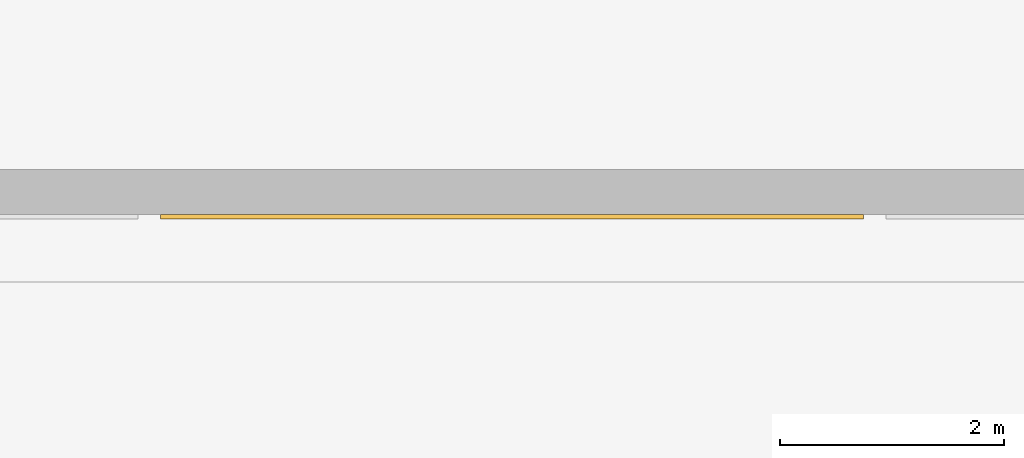
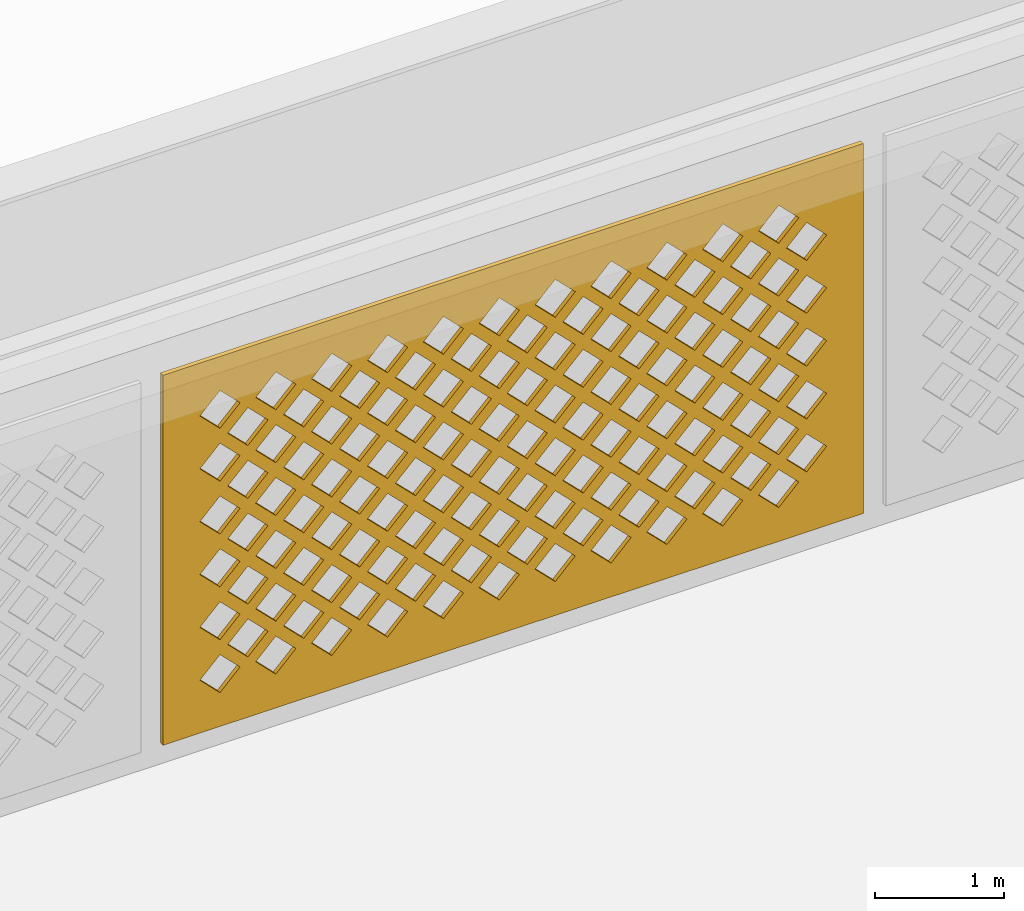
# One storey, part 20 of 63: 1 covering.
"""IFC4 building model written with IfcOpenShell, lengths in metres."""

import ifcopenshell
import ifcopenshell.guid

model = None  # the IFC model being written
_history = None  # IfcOwnerHistory: only IFC2X3 demands one
_inside = {}  # id of a spatial element -> (the spatial element, [elements in it])
_under = {}  # id of a project, library or spatial element -> (it, [spatial elements below it])
_declared = {}  # id of a project -> (the project, [libraries it declares])
_typed = {}  # id of a type object -> (the type object, [elements of that type])
_made_of = {}  # id of a material, layer set ... -> (it, [elements and type objects made of it])


def new_model(schema):
    """Start an empty IFC model of exactly this schema.

    Asked for "IFC4X3", IfcOpenShell would pick the latest addendum, in which some entities
    have other attributes; the version numbers below select the first issue.
    IFC2X3 requires an IfcOwnerHistory on every rooted entity: one is made here for all.
    """
    global model, _history
    if schema == "IFC4X3":
        model = ifcopenshell.file(schema_version=(4, 3, 0, 0))
    else:
        model = ifcopenshell.file(schema=schema)
    _inside.clear()
    _under.clear()
    _declared.clear()
    _typed.clear()
    _made_of.clear()
    _history = None
    if model.schema == "IFC2X3":
        org = make("IfcOrganization", Name="unknown")
        user = make(
            "IfcPersonAndOrganization",
            ThePerson=make("IfcPerson", FamilyName="unknown"),
            TheOrganization=org,
        )
        app = make(
            "IfcApplication",
            ApplicationDeveloper=org,
            Version="unknown",
            ApplicationFullName="unknown",
            ApplicationIdentifier="unknown",
        )
        _history = make(
            "IfcOwnerHistory",
            OwningUser=user,
            OwningApplication=app,
            ChangeAction="ADDED",
            CreationDate=0,
        )
    return model


def make(cls, **values):
    """One entity of the class cls with the attributes given. An attribute that is None is left unset."""
    return model.create_entity(
        cls, **{name: value for name, value in values.items() if value is not None}
    )


def rooted(cls, **values):
    """An entity with a GlobalId (a new one), such as an element, a storey or a relation."""
    return make(cls, GlobalId=ifcopenshell.guid.new(), OwnerHistory=_history, **values)


def si_unit(unit_type, name, prefix=None):
    """IfcSIUnit, for example si_unit("LENGTHUNIT", "METRE", prefix="MILLI")."""
    return make("IfcSIUnit", UnitType=unit_type, Prefix=prefix, Name=name)


def assignment(units):
    """IfcUnitAssignment: the units of a project."""
    return None if units is None else make("IfcUnitAssignment", Units=units)


def point(xyz):
    """IfcCartesianPoint."""
    return None if xyz is None else make("IfcCartesianPoint", Coordinates=xyz)


def direction(xyz):
    """IfcDirection."""
    return None if xyz is None else make("IfcDirection", DirectionRatios=xyz)


def frame(location, z_axis=None, x_axis=None):
    """IfcAxis2Placement3D, a coordinate frame: its origin and axes. An axis left out is left unset."""
    return make(
        "IfcAxis2Placement3D",
        Location=point(location),
        Axis=direction(z_axis),
        RefDirection=direction(x_axis),
    )


def origin():
    """The frame at (0, 0, 0) with its axes left unset."""
    return frame((0.0, 0.0, 0.0))


def place(relative_to, where):
    """IfcLocalPlacement: puts the frame where relative to a parent placement (None: the world)."""
    return make(
        "IfcLocalPlacement", PlacementRelTo=relative_to, RelativePlacement=where
    )


def context(
    kind, dimensions, precision=None, world=None, true_north=None, identifier=None
):
    """IfcGeometricRepresentationContext, for example the 3D "Model" context."""
    return make(
        "IfcGeometricRepresentationContext",
        ContextIdentifier=identifier,
        ContextType=kind,
        CoordinateSpaceDimension=dimensions,
        Precision=precision,
        WorldCoordinateSystem=world,
        TrueNorth=true_north,
    )


def subcontext(parent, identifier, kind, view, scale=None):
    """IfcGeometricRepresentationSubContext, for example "Body" below "Model"."""
    return make(
        "IfcGeometricRepresentationSubContext",
        ContextIdentifier=identifier,
        ContextType=kind,
        ParentContext=parent,
        TargetScale=scale,
        TargetView=view,
    )


def project(units=None, contexts=None):
    """IfcProject with its units and contexts."""
    return rooted(
        "IfcProject",
        Name="project",
        RepresentationContexts=contexts,
        UnitsInContext=assignment(units),
    )


def spatial(cls, under=None, at=None, **own):
    """A site, building, storey or space (cls), placed at a placement, below another one or the project."""
    s = rooted(cls, ObjectPlacement=at, **own)
    if under is not None:
        _under.setdefault(under.id(), (under, []))[1].append(s)
    return s


def polyline(points):
    """IfcPolyline through the points."""
    return make("IfcPolyline", Points=[point(p) for p in points])


def outline(outer, holes=None, kind="AREA"):
    """IfcArbitraryClosedProfileDef: a profile drawn as a closed curve; with holes, ...WithVoids."""
    if holes is None:
        return make("IfcArbitraryClosedProfileDef", ProfileType=kind, OuterCurve=outer)
    return make(
        "IfcArbitraryProfileDefWithVoids",
        ProfileType=kind,
        OuterCurve=outer,
        InnerCurves=holes,
    )


def extrude(swept, where, along, depth):
    """IfcExtrudedAreaSolid: the profile swept, set in the frame where, extruded along a direction by depth."""
    return make(
        "IfcExtrudedAreaSolid",
        SweptArea=swept,
        Position=where,
        ExtrudedDirection=direction(along),
        Depth=depth,
    )


def shape(context_of_items, identifier, shape_type, items):
    """IfcShapeRepresentation: the items that make up one representation, for example the "Body"."""
    return make(
        "IfcShapeRepresentation",
        ContextOfItems=context_of_items,
        RepresentationIdentifier=identifier,
        RepresentationType=shape_type,
        Items=items,
    )


def material(Name=None, Category=None):
    """IfcMaterial."""
    return make("IfcMaterial", Name=Name, Category=Category)


def layer(
    of_material, thickness, ventilated=None, Name=None, Category=None, Priority=None
):
    """IfcMaterialLayer: one layer of a wall or slab, of a material (None: an air gap)."""
    return make(
        "IfcMaterialLayer",
        Material=of_material,
        LayerThickness=thickness,
        IsVentilated=ventilated,
        Name=Name,
        Category=Category,
        Priority=Priority,
    )


def layer_set(layers, Name=None):
    """IfcMaterialLayerSet."""
    return make("IfcMaterialLayerSet", MaterialLayers=layers, LayerSetName=Name)


def made_of(thing, what):
    """Note that an element or type object is made of a material, layer set ...; save() writes the relation."""
    if what is not None:
        _made_of.setdefault(what.id(), (what, []))[1].append(thing)
    return thing


def type_object(cls, material=None, **own):
    """A type object (cls), such as IfcWallType, which elements share."""
    return made_of(rooted(cls, **own), material)


def element(
    cls,
    number,
    at=None,
    inside=None,
    cuts=None,
    type_object=None,
    material=None,
    context=None,
    identifier="Body",
    shape_type=None,
    held_by="IfcProductDefinitionShape",
    body=None,
    shapes=None,
    **own,
):
    """One element of the class cls, such as IfcWall. Its Tag is "e" and its number.

    at: its placement. inside: the storey or other place that contains it. cuts: it is an
    opening in that element (IfcRelVoidsElement). A single representation is given by context,
    identifier, shape_type and body (its items); several are given by shapes. held_by: the class
    of the entity that holds the representations. save() writes the other relations.
    """
    e = rooted(cls, Tag="e%d" % number, ObjectPlacement=at, **own)
    if body is not None:
        shapes = [shape(context, identifier, shape_type, body)]
    if shapes is not None:
        e.Representation = make(held_by, Representations=shapes)
    if inside is not None:
        _inside.setdefault(inside.id(), (inside, []))[1].append(e)
    if cuts is not None:
        rooted(
            "IfcRelVoidsElement", RelatingBuildingElement=cuts, RelatedOpeningElement=e
        )
    if type_object is not None:
        _typed.setdefault(type_object.id(), (type_object, []))[1].append(e)
    return made_of(e, material)


def aggregate(whole, parts):
    """IfcRelAggregates: a whole, such as a stair, and the parts it consists of."""
    return rooted("IfcRelAggregates", RelatingObject=whole, RelatedObjects=parts)


def save(model, path):
    """Write the relations noted so far, then the file.

    IfcRelAggregates (storeys below a building ...), IfcRelContainedInSpatialStructure (elements
    in a storey), IfcRelDefinesByType, IfcRelAssociatesMaterial and IfcRelDeclares: one each for
    every whole, place, type object, material and project.
    """
    for whole, parts in _under.values():
        aggregate(whole, parts)
    for where, things in _inside.values():
        rooted(
            "IfcRelContainedInSpatialStructure",
            RelatedElements=things,
            RelatingStructure=where,
        )
    for kind, things in _typed.values():
        rooted("IfcRelDefinesByType", RelatedObjects=things, RelatingType=kind)
    for what, things in _made_of.values():
        rooted("IfcRelAssociatesMaterial", RelatedObjects=things, RelatingMaterial=what)
    for by, libraries in _declared.values():
        rooted("IfcRelDeclares", RelatingContext=by, RelatedDefinitions=libraries)
    model.write(path)


model = new_model("IFC4")

# Units and contexts
model_context = context("Model", 3, precision=1e-05, world=origin(), true_north=direction((0.0, 1.0)))
body_context = subcontext(model_context, "Body", "Model", "MODEL_VIEW")
ifc_project = project(units=[si_unit("LENGTHUNIT", "METRE"), si_unit("AREAUNIT", "SQUARE_METRE"), si_unit("VOLUMEUNIT", "CUBIC_METRE"), si_unit("PLANEANGLEUNIT", "RADIAN"), si_unit("MASSUNIT", "GRAM", prefix="KILO")], contexts=[model_context])

# Site, building, storey
site_placement = place(None, origin())
site = spatial("IfcSite", under=ifc_project, at=site_placement, CompositionType="ELEMENT")
building_placement = place(site_placement, origin())
building = spatial("IfcBuilding", under=site, at=building_placement, Name="Noorbagh Ring Tower", CompositionType="ELEMENT")
storey_placement = place(building_placement, frame((0.0, 0.0, 25.0)))
storey = spatial("IfcBuildingStorey", under=building, at=storey_placement, Name="L04", CompositionType="ELEMENT", Elevation=25.0)

# Covering
ifc_material = material(Name="Red sandstone jali", Category="masonry")
ifc_layer = layer(ifc_material, 0.0400390625)
ifc_layer_set = layer_set([ifc_layer], Name="Red sandstone jali")
covering_type = type_object("IfcCoveringType", Name="STH-BAND", PredefinedType="USERDEFINED", material=ifc_layer_set)
covering_placement = place(storey_placement, frame((-153.13330078125, -13.239990234375, 0.199951171875), z_axis=(0.0, -1.0, 0.0), x_axis=(1.0, 0.0, 0.0)))
element("IfcCovering", 1, at=covering_placement, inside=storey, type_object=covering_type, Name="Jali band of the stage house", ObjectType="JALI SCREEN", PredefinedType="USERDEFINED", context=body_context, shape_type="SweptSolid", body=[
    extrude(outline(polyline([(0.0, 0.0), (6.2666015625, 0.0), (6.2666015625, 3.5), (0.0, 3.5), (0.0, 0.0)]), holes=[polyline([(0.328369140625, 0.5), (0.50830078125, 0.320068359375), (0.688232421875, 0.5), (0.50830078125, 0.679931640625), (0.328369140625, 0.5)]), polyline([(0.828369140625, 0.5), (1.00830078125, 0.320068359375), (1.188232421875, 0.5), (1.00830078125, 0.679931640625), (0.828369140625, 0.5)]), polyline([(1.328369140625, 0.5), (1.50830078125, 0.320068359375), (1.688232421875, 0.5), (1.50830078125, 0.679931640625), (1.328369140625, 0.5)]), polyline([(1.828369140625, 0.5), (2.00830078125, 0.320068359375), (2.188232421875, 0.5), (2.00830078125, 0.679931640625), (1.828369140625, 0.5)]), polyline([(2.328369140625, 0.5), (2.50830078125, 0.320068359375), (2.688232421875, 0.5), (2.50830078125, 0.679931640625), (2.328369140625, 0.5)]), polyline([(2.828369140625, 0.5), (3.00830078125, 0.320068359375), (3.188232421875, 0.5), (3.00830078125, 0.679931640625), (2.828369140625, 0.5)]), polyline([(3.328369140625, 0.5), (3.50830078125, 0.320068359375), (3.688232421875, 0.5), (3.50830078125, 0.679931640625), (3.328369140625, 0.5)]), polyline([(3.828369140625, 0.5), (4.00830078125, 0.320068359375), (4.188232421875, 0.5), (4.00830078125, 0.679931640625), (3.828369140625, 0.5)]), polyline([(4.328369140625, 0.5), (4.50830078125, 0.320068359375), (4.688232421875, 0.5), (4.50830078125, 0.679931640625), (4.328369140625, 0.5)]), polyline([(4.828369140625, 0.5), (5.00830078125, 0.320068359375), (5.188232421875, 0.5), (5.00830078125, 0.679931640625), (4.828369140625, 0.5)]), polyline([(5.328369140625, 0.5), (5.50830078125, 0.320068359375), (5.688232421875, 0.5), (5.50830078125, 0.679931640625), (5.328369140625, 0.5)]), polyline([(0.578369140625, 0.75), (0.75830078125, 0.570068359375), (0.938232421875, 0.75), (0.75830078125, 0.929931640625), (0.578369140625, 0.75)]), polyline([(1.078369140625, 0.75), (1.25830078125, 0.570068359375), (1.438232421875, 0.75), (1.25830078125, 0.929931640625), (1.078369140625, 0.75)]), polyline([(1.578369140625, 0.75), (1.75830078125, 0.570068359375), (1.938232421875, 0.75), (1.75830078125, 0.929931640625), (1.578369140625, 0.75)]), polyline([(2.078369140625, 0.75), (2.25830078125, 0.570068359375), (2.438232421875, 0.75), (2.25830078125, 0.929931640625), (2.078369140625, 0.75)]), polyline([(2.578369140625, 0.75), (2.75830078125, 0.570068359375), (2.938232421875, 0.75), (2.75830078125, 0.929931640625), (2.578369140625, 0.75)]), polyline([(3.078369140625, 0.75), (3.25830078125, 0.570068359375), (3.438232421875, 0.75), (3.25830078125, 0.929931640625), (3.078369140625, 0.75)]), polyline([(3.578369140625, 0.75), (3.75830078125, 0.570068359375), (3.938232421875, 0.75), (3.75830078125, 0.929931640625), (3.578369140625, 0.75)]), polyline([(4.078369140625, 0.75), (4.25830078125, 0.570068359375), (4.438232421875, 0.75), (4.25830078125, 0.929931640625), (4.078369140625, 0.75)]), polyline([(4.578369140625, 0.75), (4.75830078125, 0.570068359375), (4.938232421875, 0.75), (4.75830078125, 0.929931640625), (4.578369140625, 0.75)]), polyline([(5.078369140625, 0.75), (5.25830078125, 0.570068359375), (5.438232421875, 0.75), (5.25830078125, 0.929931640625), (5.078369140625, 0.75)]), polyline([(5.578369140625, 0.75), (5.75830078125, 0.570068359375), (5.938232421875, 0.75), (5.75830078125, 0.929931640625), (5.578369140625, 0.75)]), polyline([(0.328369140625, 1.0), (0.50830078125, 0.820068359375), (0.688232421875, 1.0), (0.50830078125, 1.179931640625), (0.328369140625, 1.0)]), polyline([(0.828369140625, 1.0), (1.00830078125, 0.820068359375), (1.188232421875, 1.0), (1.00830078125, 1.179931640625), (0.828369140625, 1.0)]), polyline([(1.328369140625, 1.0), (1.50830078125, 0.820068359375), (1.688232421875, 1.0), (1.50830078125, 1.179931640625), (1.328369140625, 1.0)]), polyline([(1.828369140625, 1.0), (2.00830078125, 0.820068359375), (2.188232421875, 1.0), (2.00830078125, 1.179931640625), (1.828369140625, 1.0)]), polyline([(2.328369140625, 1.0), (2.50830078125, 0.820068359375), (2.688232421875, 1.0), (2.50830078125, 1.179931640625), (2.328369140625, 1.0)]), polyline([(2.828369140625, 1.0), (3.00830078125, 0.820068359375), (3.188232421875, 1.0), (3.00830078125, 1.179931640625), (2.828369140625, 1.0)]), polyline([(3.328369140625, 1.0), (3.50830078125, 0.820068359375), (3.688232421875, 1.0), (3.50830078125, 1.179931640625), (3.328369140625, 1.0)]), polyline([(3.828369140625, 1.0), (4.00830078125, 0.820068359375), (4.188232421875, 1.0), (4.00830078125, 1.179931640625), (3.828369140625, 1.0)]), polyline([(4.328369140625, 1.0), (4.50830078125, 0.820068359375), (4.688232421875, 1.0), (4.50830078125, 1.179931640625), (4.328369140625, 1.0)]), polyline([(4.828369140625, 1.0), (5.00830078125, 0.820068359375), (5.188232421875, 1.0), (5.00830078125, 1.179931640625), (4.828369140625, 1.0)]), polyline([(5.328369140625, 1.0), (5.50830078125, 0.820068359375), (5.688232421875, 1.0), (5.50830078125, 1.179931640625), (5.328369140625, 1.0)]), polyline([(0.578369140625, 1.25), (0.75830078125, 1.070068359375), (0.938232421875, 1.25), (0.75830078125, 1.429931640625), (0.578369140625, 1.25)]), polyline([(1.078369140625, 1.25), (1.25830078125, 1.070068359375), (1.438232421875, 1.25), (1.25830078125, 1.429931640625), (1.078369140625, 1.25)]), polyline([(1.578369140625, 1.25), (1.75830078125, 1.070068359375), (1.938232421875, 1.25), (1.75830078125, 1.429931640625), (1.578369140625, 1.25)]), polyline([(2.078369140625, 1.25), (2.25830078125, 1.070068359375), (2.438232421875, 1.25), (2.25830078125, 1.429931640625), (2.078369140625, 1.25)]), polyline([(2.578369140625, 1.25), (2.75830078125, 1.070068359375), (2.938232421875, 1.25), (2.75830078125, 1.429931640625), (2.578369140625, 1.25)]), polyline([(3.078369140625, 1.25), (3.25830078125, 1.070068359375), (3.438232421875, 1.25), (3.25830078125, 1.429931640625), (3.078369140625, 1.25)]), polyline([(3.578369140625, 1.25), (3.75830078125, 1.070068359375), (3.938232421875, 1.25), (3.75830078125, 1.429931640625), (3.578369140625, 1.25)]), polyline([(4.078369140625, 1.25), (4.25830078125, 1.070068359375), (4.438232421875, 1.25), (4.25830078125, 1.429931640625), (4.078369140625, 1.25)]), polyline([(4.578369140625, 1.25), (4.75830078125, 1.070068359375), (4.938232421875, 1.25), (4.75830078125, 1.429931640625), (4.578369140625, 1.25)]), polyline([(5.078369140625, 1.25), (5.25830078125, 1.070068359375), (5.438232421875, 1.25), (5.25830078125, 1.429931640625), (5.078369140625, 1.25)]), polyline([(5.578369140625, 1.25), (5.75830078125, 1.070068359375), (5.938232421875, 1.25), (5.75830078125, 1.429931640625), (5.578369140625, 1.25)]), polyline([(0.328369140625, 1.5), (0.50830078125, 1.320068359375), (0.688232421875, 1.5), (0.50830078125, 1.679931640625), (0.328369140625, 1.5)]), polyline([(0.828369140625, 1.5), (1.00830078125, 1.320068359375), (1.188232421875, 1.5), (1.00830078125, 1.679931640625), (0.828369140625, 1.5)]), polyline([(1.328369140625, 1.5), (1.50830078125, 1.320068359375), (1.688232421875, 1.5), (1.50830078125, 1.679931640625), (1.328369140625, 1.5)]), polyline([(1.828369140625, 1.5), (2.00830078125, 1.320068359375), (2.188232421875, 1.5), (2.00830078125, 1.679931640625), (1.828369140625, 1.5)]), polyline([(2.328369140625, 1.5), (2.50830078125, 1.320068359375), (2.688232421875, 1.5), (2.50830078125, 1.679931640625), (2.328369140625, 1.5)]), polyline([(2.828369140625, 1.5), (3.00830078125, 1.320068359375), (3.188232421875, 1.5), (3.00830078125, 1.679931640625), (2.828369140625, 1.5)]), polyline([(3.328369140625, 1.5), (3.50830078125, 1.320068359375), (3.688232421875, 1.5), (3.50830078125, 1.679931640625), (3.328369140625, 1.5)]), polyline([(3.828369140625, 1.5), (4.00830078125, 1.320068359375), (4.188232421875, 1.5), (4.00830078125, 1.679931640625), (3.828369140625, 1.5)]), polyline([(4.328369140625, 1.5), (4.50830078125, 1.320068359375), (4.688232421875, 1.5), (4.50830078125, 1.679931640625), (4.328369140625, 1.5)]), polyline([(4.828369140625, 1.5), (5.00830078125, 1.320068359375), (5.188232421875, 1.5), (5.00830078125, 1.679931640625), (4.828369140625, 1.5)]), polyline([(5.328369140625, 1.5), (5.50830078125, 1.320068359375), (5.688232421875, 1.5), (5.50830078125, 1.679931640625), (5.328369140625, 1.5)]), polyline([(0.578369140625, 1.75), (0.75830078125, 1.570068359375), (0.938232421875, 1.75), (0.75830078125, 1.929931640625), (0.578369140625, 1.75)]), polyline([(1.078369140625, 1.75), (1.25830078125, 1.570068359375), (1.438232421875, 1.75), (1.25830078125, 1.929931640625), (1.078369140625, 1.75)]), polyline([(1.578369140625, 1.75), (1.75830078125, 1.570068359375), (1.938232421875, 1.75), (1.75830078125, 1.929931640625), (1.578369140625, 1.75)]), polyline([(2.078369140625, 1.75), (2.25830078125, 1.570068359375), (2.438232421875, 1.75), (2.25830078125, 1.929931640625), (2.078369140625, 1.75)]), polyline([(2.578369140625, 1.75), (2.75830078125, 1.570068359375), (2.938232421875, 1.75), (2.75830078125, 1.929931640625), (2.578369140625, 1.75)]), polyline([(3.078369140625, 1.75), (3.25830078125, 1.570068359375), (3.438232421875, 1.75), (3.25830078125, 1.929931640625), (3.078369140625, 1.75)]), polyline([(3.578369140625, 1.75), (3.75830078125, 1.570068359375), (3.938232421875, 1.75), (3.75830078125, 1.929931640625), (3.578369140625, 1.75)]), polyline([(4.078369140625, 1.75), (4.25830078125, 1.570068359375), (4.438232421875, 1.75), (4.25830078125, 1.929931640625), (4.078369140625, 1.75)]), polyline([(4.578369140625, 1.75), (4.75830078125, 1.570068359375), (4.938232421875, 1.75), (4.75830078125, 1.929931640625), (4.578369140625, 1.75)]), polyline([(5.078369140625, 1.75), (5.25830078125, 1.570068359375), (5.438232421875, 1.75), (5.25830078125, 1.929931640625), (5.078369140625, 1.75)]), polyline([(5.578369140625, 1.75), (5.75830078125, 1.570068359375), (5.938232421875, 1.75), (5.75830078125, 1.929931640625), (5.578369140625, 1.75)]), polyline([(0.328369140625, 2.0), (0.50830078125, 1.820068359375), (0.688232421875, 2.0), (0.50830078125, 2.179931640625), (0.328369140625, 2.0)]), polyline([(0.828369140625, 2.0), (1.00830078125, 1.820068359375), (1.188232421875, 2.0), (1.00830078125, 2.179931640625), (0.828369140625, 2.0)]), polyline([(1.328369140625, 2.0), (1.50830078125, 1.820068359375), (1.688232421875, 2.0), (1.50830078125, 2.179931640625), (1.328369140625, 2.0)]), polyline([(1.828369140625, 2.0), (2.00830078125, 1.820068359375), (2.188232421875, 2.0), (2.00830078125, 2.179931640625), (1.828369140625, 2.0)]), polyline([(2.328369140625, 2.0), (2.50830078125, 1.820068359375), (2.688232421875, 2.0), (2.50830078125, 2.179931640625), (2.328369140625, 2.0)]), polyline([(2.828369140625, 2.0), (3.00830078125, 1.820068359375), (3.188232421875, 2.0), (3.00830078125, 2.179931640625), (2.828369140625, 2.0)]), polyline([(3.328369140625, 2.0), (3.50830078125, 1.820068359375), (3.688232421875, 2.0), (3.50830078125, 2.179931640625), (3.328369140625, 2.0)]), polyline([(3.828369140625, 2.0), (4.00830078125, 1.820068359375), (4.188232421875, 2.0), (4.00830078125, 2.179931640625), (3.828369140625, 2.0)]), polyline([(4.328369140625, 2.0), (4.50830078125, 1.820068359375), (4.688232421875, 2.0), (4.50830078125, 2.179931640625), (4.328369140625, 2.0)]), polyline([(4.828369140625, 2.0), (5.00830078125, 1.820068359375), (5.188232421875, 2.0), (5.00830078125, 2.179931640625), (4.828369140625, 2.0)]), polyline([(5.328369140625, 2.0), (5.50830078125, 1.820068359375), (5.688232421875, 2.0), (5.50830078125, 2.179931640625), (5.328369140625, 2.0)]), polyline([(0.578369140625, 2.25), (0.75830078125, 2.070068359375), (0.938232421875, 2.25), (0.75830078125, 2.429931640625), (0.578369140625, 2.25)]), polyline([(1.078369140625, 2.25), (1.25830078125, 2.070068359375), (1.438232421875, 2.25), (1.25830078125, 2.429931640625), (1.078369140625, 2.25)]), polyline([(1.578369140625, 2.25), (1.75830078125, 2.070068359375), (1.938232421875, 2.25), (1.75830078125, 2.429931640625), (1.578369140625, 2.25)]), polyline([(2.078369140625, 2.25), (2.25830078125, 2.070068359375), (2.438232421875, 2.25), (2.25830078125, 2.429931640625), (2.078369140625, 2.25)]), polyline([(2.578369140625, 2.25), (2.75830078125, 2.070068359375), (2.938232421875, 2.25), (2.75830078125, 2.429931640625), (2.578369140625, 2.25)]), polyline([(3.078369140625, 2.25), (3.25830078125, 2.070068359375), (3.438232421875, 2.25), (3.25830078125, 2.429931640625), (3.078369140625, 2.25)]), polyline([(3.578369140625, 2.25), (3.75830078125, 2.070068359375), (3.938232421875, 2.25), (3.75830078125, 2.429931640625), (3.578369140625, 2.25)]), polyline([(4.078369140625, 2.25), (4.25830078125, 2.070068359375), (4.438232421875, 2.25), (4.25830078125, 2.429931640625), (4.078369140625, 2.25)]), polyline([(4.578369140625, 2.25), (4.75830078125, 2.070068359375), (4.938232421875, 2.25), (4.75830078125, 2.429931640625), (4.578369140625, 2.25)]), polyline([(5.078369140625, 2.25), (5.25830078125, 2.070068359375), (5.438232421875, 2.25), (5.25830078125, 2.429931640625), (5.078369140625, 2.25)]), polyline([(5.578369140625, 2.25), (5.75830078125, 2.070068359375), (5.938232421875, 2.25), (5.75830078125, 2.429931640625), (5.578369140625, 2.25)]), polyline([(0.328369140625, 2.5), (0.50830078125, 2.320068359375), (0.688232421875, 2.5), (0.50830078125, 2.679931640625), (0.328369140625, 2.5)]), polyline([(0.828369140625, 2.5), (1.00830078125, 2.320068359375), (1.188232421875, 2.5), (1.00830078125, 2.679931640625), (0.828369140625, 2.5)]), polyline([(1.328369140625, 2.5), (1.50830078125, 2.320068359375), (1.688232421875, 2.5), (1.50830078125, 2.679931640625), (1.328369140625, 2.5)]), polyline([(1.828369140625, 2.5), (2.00830078125, 2.320068359375), (2.188232421875, 2.5), (2.00830078125, 2.679931640625), (1.828369140625, 2.5)]), polyline([(2.328369140625, 2.5), (2.50830078125, 2.320068359375), (2.688232421875, 2.5), (2.50830078125, 2.679931640625), (2.328369140625, 2.5)]), polyline([(2.828369140625, 2.5), (3.00830078125, 2.320068359375), (3.188232421875, 2.5), (3.00830078125, 2.679931640625), (2.828369140625, 2.5)]), polyline([(3.328369140625, 2.5), (3.50830078125, 2.320068359375), (3.688232421875, 2.5), (3.50830078125, 2.679931640625), (3.328369140625, 2.5)]), polyline([(3.828369140625, 2.5), (4.00830078125, 2.320068359375), (4.188232421875, 2.5), (4.00830078125, 2.679931640625), (3.828369140625, 2.5)]), polyline([(4.328369140625, 2.5), (4.50830078125, 2.320068359375), (4.688232421875, 2.5), (4.50830078125, 2.679931640625), (4.328369140625, 2.5)]), polyline([(4.828369140625, 2.5), (5.00830078125, 2.320068359375), (5.188232421875, 2.5), (5.00830078125, 2.679931640625), (4.828369140625, 2.5)]), polyline([(5.328369140625, 2.5), (5.50830078125, 2.320068359375), (5.688232421875, 2.5), (5.50830078125, 2.679931640625), (5.328369140625, 2.5)]), polyline([(0.578369140625, 2.75), (0.75830078125, 2.570068359375), (0.938232421875, 2.75), (0.75830078125, 2.929931640625), (0.578369140625, 2.75)]), polyline([(1.078369140625, 2.75), (1.25830078125, 2.570068359375), (1.438232421875, 2.75), (1.25830078125, 2.929931640625), (1.078369140625, 2.75)]), polyline([(1.578369140625, 2.75), (1.75830078125, 2.570068359375), (1.938232421875, 2.75), (1.75830078125, 2.929931640625), (1.578369140625, 2.75)]), polyline([(2.078369140625, 2.75), (2.25830078125, 2.570068359375), (2.438232421875, 2.75), (2.25830078125, 2.929931640625), (2.078369140625, 2.75)]), polyline([(2.578369140625, 2.75), (2.75830078125, 2.570068359375), (2.938232421875, 2.75), (2.75830078125, 2.929931640625), (2.578369140625, 2.75)]), polyline([(3.078369140625, 2.75), (3.25830078125, 2.570068359375), (3.438232421875, 2.75), (3.25830078125, 2.929931640625), (3.078369140625, 2.75)]), polyline([(3.578369140625, 2.75), (3.75830078125, 2.570068359375), (3.938232421875, 2.75), (3.75830078125, 2.929931640625), (3.578369140625, 2.75)]), polyline([(4.078369140625, 2.75), (4.25830078125, 2.570068359375), (4.438232421875, 2.75), (4.25830078125, 2.929931640625), (4.078369140625, 2.75)]), polyline([(4.578369140625, 2.75), (4.75830078125, 2.570068359375), (4.938232421875, 2.75), (4.75830078125, 2.929931640625), (4.578369140625, 2.75)]), polyline([(5.078369140625, 2.75), (5.25830078125, 2.570068359375), (5.438232421875, 2.75), (5.25830078125, 2.929931640625), (5.078369140625, 2.75)]), polyline([(5.578369140625, 2.75), (5.75830078125, 2.570068359375), (5.938232421875, 2.75), (5.75830078125, 2.929931640625), (5.578369140625, 2.75)]), polyline([(0.328369140625, 3.0), (0.50830078125, 2.820068359375), (0.688232421875, 3.0), (0.50830078125, 3.179931640625), (0.328369140625, 3.0)]), polyline([(0.828369140625, 3.0), (1.00830078125, 2.820068359375), (1.188232421875, 3.0), (1.00830078125, 3.179931640625), (0.828369140625, 3.0)]), polyline([(1.328369140625, 3.0), (1.50830078125, 2.820068359375), (1.688232421875, 3.0), (1.50830078125, 3.179931640625), (1.328369140625, 3.0)]), polyline([(1.828369140625, 3.0), (2.00830078125, 2.820068359375), (2.188232421875, 3.0), (2.00830078125, 3.179931640625), (1.828369140625, 3.0)]), polyline([(2.328369140625, 3.0), (2.50830078125, 2.820068359375), (2.688232421875, 3.0), (2.50830078125, 3.179931640625), (2.328369140625, 3.0)]), polyline([(2.828369140625, 3.0), (3.00830078125, 2.820068359375), (3.188232421875, 3.0), (3.00830078125, 3.179931640625), (2.828369140625, 3.0)]), polyline([(3.328369140625, 3.0), (3.50830078125, 2.820068359375), (3.688232421875, 3.0), (3.50830078125, 3.179931640625), (3.328369140625, 3.0)]), polyline([(3.828369140625, 3.0), (4.00830078125, 2.820068359375), (4.188232421875, 3.0), (4.00830078125, 3.179931640625), (3.828369140625, 3.0)]), polyline([(4.328369140625, 3.0), (4.50830078125, 2.820068359375), (4.688232421875, 3.0), (4.50830078125, 3.179931640625), (4.328369140625, 3.0)]), polyline([(4.828369140625, 3.0), (5.00830078125, 2.820068359375), (5.188232421875, 3.0), (5.00830078125, 3.179931640625), (4.828369140625, 3.0)]), polyline([(5.328369140625, 3.0), (5.50830078125, 2.820068359375), (5.688232421875, 3.0), (5.50830078125, 3.179931640625), (5.328369140625, 3.0)])]), origin(), (0.0, 0.0, -1.0), 0.0400390625),
])

save(model, "model.ifc")
